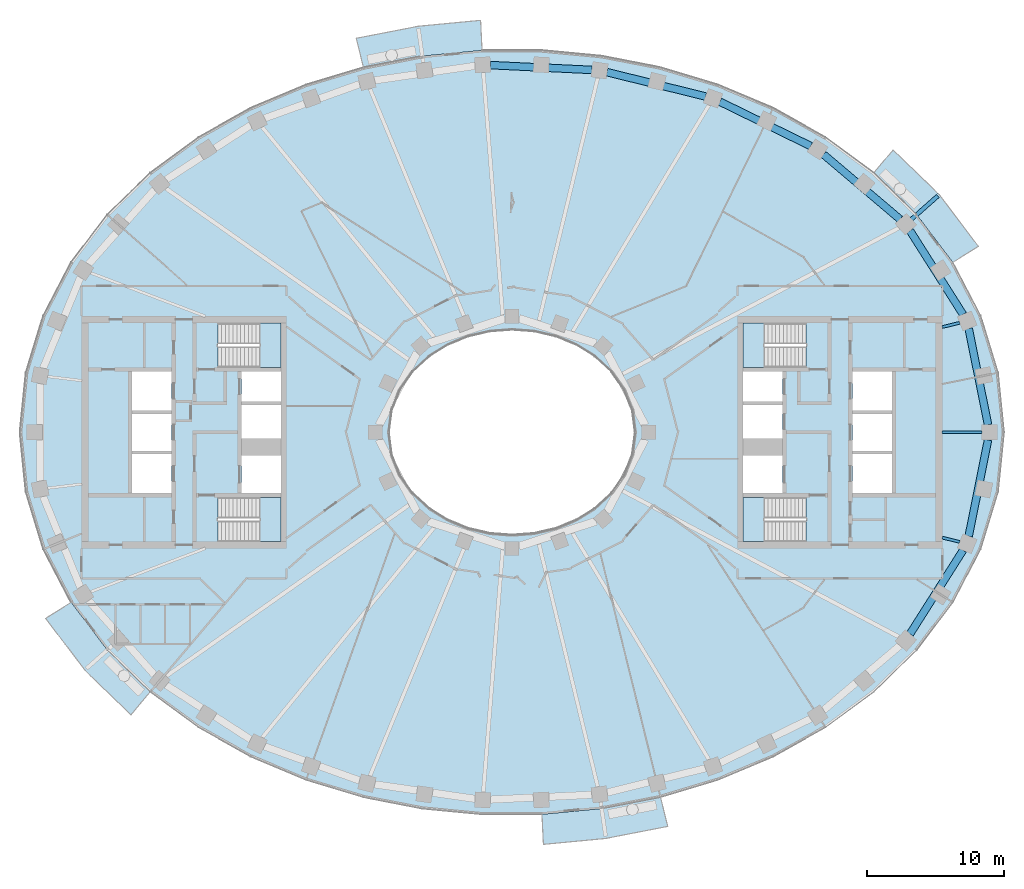
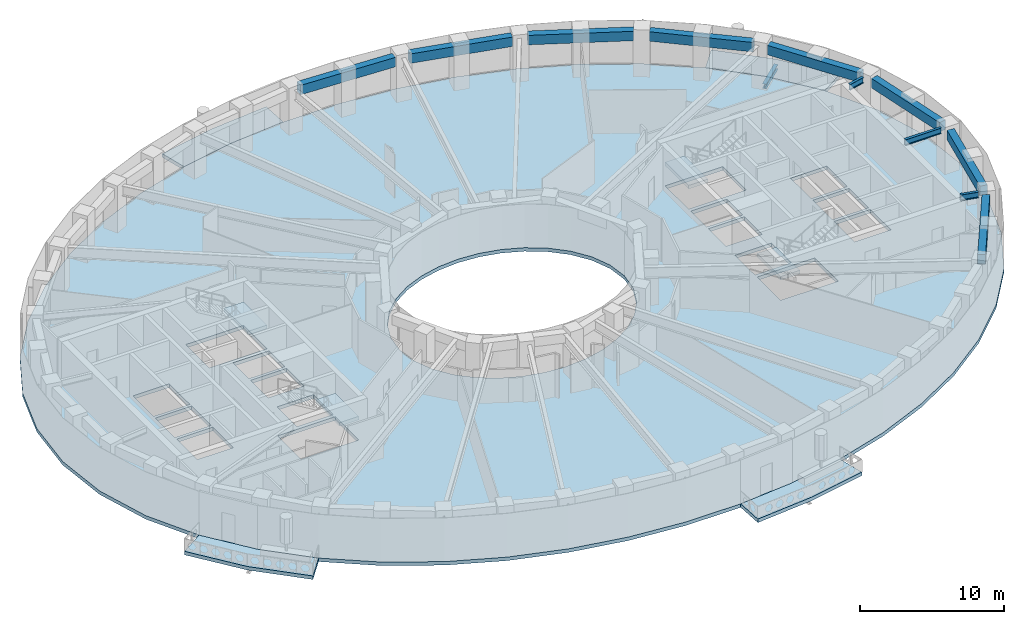
# One storey, part 2 of 16: 12 beams, 9 slabs, 4 elements without a shape of their own.
"""IFC4 building model written with IfcOpenShell, lengths in metres."""

from ifc_helpers import new_model, si_unit, direction, frame, origin, origin_2d, place, context, subcontext, project, spatial, polyline, rectangle, i_section, outline, extrude, material, layer, layer_set, material_profile, profile_set, type_object, element, aggregate, save


model = new_model("IFC4")

# Units and contexts
model_context = context("Model", 3, precision=1e-05, world=origin(), true_north=direction((0.0, 1.0)))
body_context = subcontext(model_context, "Body", "Model", "MODEL_VIEW")
ifc_project = project(units=[si_unit("LENGTHUNIT", "METRE"), si_unit("AREAUNIT", "SQUARE_METRE"), si_unit("VOLUMEUNIT", "CUBIC_METRE"), si_unit("PLANEANGLEUNIT", "RADIAN"), si_unit("MASSUNIT", "GRAM", prefix="KILO")], contexts=[model_context])

# Site, building, storey
site_placement = place(None, origin())
site = spatial("IfcSite", under=ifc_project, at=site_placement, CompositionType="ELEMENT")
building_placement = place(site_placement, origin())
building = spatial("IfcBuilding", under=site, at=building_placement, Name="Noorbagh Ring Tower", CompositionType="ELEMENT")
storey_placement = place(building_placement, frame((0.0, 0.0, 186.0)))
storey = spatial("IfcBuildingStorey", under=building, at=storey_placement, Name="L43", CompositionType="ELEMENT", Elevation=186.0)

# Beams
ifc_material_1 = material(Name="Steel S355", Category="steel")
ifc_material_profile_1 = material_profile(ifc_material_1, i_section(OverallWidth=0.300048828125, OverallDepth=0.39990234375, WebThickness=0.013427734375, FlangeThickness=0.02392578125, FilletRadius=0.027099609375, at=origin_2d()), Name="HEB400")
ifc_profile_set_1 = profile_set([ifc_material_profile_1], Name="Steel S355")
beam_type_1 = type_object("IfcBeamType", Name="STR-BALCONY-BRACKET-HEB400", PredefinedType="BEAM", material=ifc_profile_set_1)
beam_1_placement = place(storey_placement, frame((29.234619140625, 15.59814453125, -0.5), z_axis=(0.749031222735, 0.662534698992, 0.0), x_axis=(-0.662534698992, 0.749031222735, 0.0)))
element("IfcBeam", 1, at=beam_1_placement, inside=storey, type_object=beam_type_1, Name="Balcony bracket beam BN01", PredefinedType="BEAM", context=body_context, shape_type="SweptSolid", body=[
    extrude(i_section(OverallWidth=0.300048828125, OverallDepth=0.39990234375, WebThickness=0.013427734375, FlangeThickness=0.02392578125, FilletRadius=0.027099609375, at=origin_2d()), origin(), (0.0, 0.0, 1.0), 2.554443359375),
])
ifc_material_2 = material(Name="Steel S355", Category="steel")
ifc_material_profile_2 = material_profile(ifc_material_2, i_section(OverallWidth=0.199951171875, OverallDepth=0.5, WebThickness=0.01025390625, FlangeThickness=0.01611328125, FilletRadius=0.02099609375, at=origin_2d()), Name="IPE500")
ifc_profile_set_2 = profile_set([ifc_material_profile_2], Name="Steel S355")
beam_type_2 = type_object("IfcBeamType", Name="STR-RAD-IPE500", PredefinedType="BEAM", material=ifc_profile_set_2)
beam_2_placement = place(storey_placement, frame((34.3896484375, 0.0, 3.449951171875), z_axis=(-1.0, 0.0, 0.0), x_axis=(0.0, -1.0, 0.0)))
element("IfcBeam", 2, at=beam_2_placement, inside=storey, type_object=beam_type_2, Name="L43/bm/RD01", PredefinedType="BEAM", context=body_context, shape_type="SweptSolid", body=[
    extrude(i_section(OverallWidth=0.199951171875, OverallDepth=0.5, WebThickness=0.01025390625, FlangeThickness=0.01611328125, FilletRadius=0.02099609375, at=origin_2d()), origin(), (0.0, 0.0, 1.0), 2.90966796875),
])
for number, where, z_axis, x_axis, name in (
    (3, (32.759765625, 8.015869140625, 3.449951171875), (-0.971351477813, -0.237647441709, 0.0), (0.237647441709, -0.971351477813, 0.0), "L43/bm/RD03"),
    (4, (32.759765625, -8.015869140625, 3.449951171875), (-0.971351477813, 0.237647441709, 0.0), (-0.237647441709, -0.971351477813, 0.0), "L43/bm/RD45"),
):
    element("IfcBeam", number, at=place(storey_placement, frame(where, z_axis=z_axis, x_axis=x_axis)), inside=storey, type_object=beam_type_2, Name=name, PredefinedType="BEAM", context=body_context, shape_type="SweptSolid", body=[
        extrude(i_section(OverallWidth=0.199951171875, OverallDepth=0.5, WebThickness=0.01025390625, FlangeThickness=0.01611328125, FilletRadius=0.02099609375, at=origin_2d()), origin(), (0.0, 0.0, 1.0), 1.317138671875),
    ])
ifc_material_3 = material(Name="Concrete C40/50", Category="concrete")
ifc_material_profile_3 = material_profile(ifc_material_3, rectangle(XDim=0.550048828125, YDim=0.800048828125, at=origin_2d()), Name="RC550x800")
ifc_profile_set_3 = profile_set([ifc_material_profile_3], Name="Concrete C40/50")
beam_type_3 = type_object("IfcBeamType", Name="STR-SB-RC550x800-C40-50", PredefinedType="BEAM", material=ifc_profile_set_3)
beam_3_placement = place(storey_placement, frame((34.8330078125, 0.555419921875, 3.300048828125), z_axis=(-0.197234085058, 0.980356422783, 0.0), x_axis=(-0.980356422783, -0.197234085058, 0.0)))
element("IfcBeam", 5, at=beam_3_placement, inside=storey, type_object=beam_type_3, Name="L43/bm/SP01", PredefinedType="BEAM", context=body_context, shape_type="SweptSolid", body=[
    extrude(rectangle(XDim=0.550048828125, YDim=0.800048828125, at=origin_2d()), origin(), (0.0, 0.0, 1.0), 7.1806640625),
])
beam_4_placement = place(storey_placement, frame((33.00341796875, 8.625732421875, 3.300048828125), z_axis=(-0.535193751586, 0.844729334322, 0.0), x_axis=(-0.844729334322, -0.535193751586, 0.0)))
element("IfcBeam", 6, at=beam_4_placement, inside=storey, type_object=beam_type_3, Name="L43/bm/SP03", PredefinedType="BEAM", context=body_context, shape_type="SweptSolid", body=[
    extrude(rectangle(XDim=0.550048828125, YDim=0.800048828125, at=origin_2d()), origin(), (0.0, 0.0, 1.0), 7.25634765625),
])
beam_5_placement = place(storey_placement, frame((28.390869140625, 15.593017578125, 3.300048828125), z_axis=(-0.76302791951, 0.646365526656, 0.0), x_axis=(-0.646365526656, -0.76302791951, 0.0)))
element("IfcBeam", 7, at=beam_5_placement, inside=storey, type_object=beam_type_3, Name="L43/bm/SP05", PredefinedType="BEAM", context=body_context, shape_type="SweptSolid", body=[
    extrude(rectangle(XDim=0.550048828125, YDim=0.800048828125, at=origin_2d()), origin(), (0.0, 0.0, 1.0), 7.34130859375),
])
beam_6_placement = place(storey_placement, frame((21.85986328125, 20.945556640625, 3.300048828125), z_axis=(-0.898409236546, 0.439159246389, 0.0), x_axis=(-0.439159246389, -0.898409236546, 0.0)))
element("IfcBeam", 8, at=beam_6_placement, inside=storey, type_object=beam_type_3, Name="L43/bm/SP07", PredefinedType="BEAM", context=body_context, shape_type="SweptSolid", body=[
    extrude(rectangle(XDim=0.550048828125, YDim=0.800048828125, at=origin_2d()), origin(), (0.0, 0.0, 1.0), 7.400390625),
])
beam_7_placement = place(storey_placement, frame((14.167724609375, 24.57470703125, 3.300048828125), z_axis=(-0.970828249823, 0.239775956563, 0.0), x_axis=(-0.239775956563, -0.970828249823, 0.0)))
element("IfcBeam", 9, at=beam_7_placement, inside=storey, type_object=beam_type_3, Name="L43/bm/SP09", PredefinedType="BEAM", context=body_context, shape_type="SweptSolid", body=[
    extrude(rectangle(XDim=0.550048828125, YDim=0.800048828125, at=origin_2d()), origin(), (0.0, 0.0, 1.0), 7.433837890625),
])
beam_8_placement = place(storey_placement, frame((5.852294921875, 26.517333984375, 3.300048828125), z_axis=(-0.998867915197, 0.047569822271, 0.0), x_axis=(-0.047569822271, -0.998867915197, 0.0)))
element("IfcBeam", 10, at=beam_8_placement, inside=storey, type_object=beam_type_3, Name="L43/bm/SP11", PredefinedType="BEAM", context=body_context, shape_type="SweptSolid", body=[
    extrude(rectangle(XDim=0.550048828125, YDim=0.800048828125, at=origin_2d()), origin(), (0.0, 0.0, 1.0), 7.447021484375),
])
beam_9_placement = place(storey_placement, frame((29.119873046875, -14.75537109375, 3.300048828125), z_axis=(0.535193751586, 0.844729334322, 0.0), x_axis=(-0.844729334322, 0.535193751586, 0.0)))
element("IfcBeam", 11, at=beam_9_placement, inside=storey, type_object=beam_type_3, Name="L43/bm/SP43", PredefinedType="BEAM", context=body_context, shape_type="SweptSolid", body=[
    extrude(rectangle(XDim=0.550048828125, YDim=0.800048828125, at=origin_2d()), origin(), (0.0, 0.0, 1.0), 7.25634765625),
])
beam_10_placement = place(storey_placement, frame((33.416748046875, -7.594970703125, 3.300048828125), z_axis=(0.197234085058, 0.980356422783, 0.0), x_axis=(-0.980356422783, 0.197234085058, 0.0)))
element("IfcBeam", 12, at=beam_10_placement, inside=storey, type_object=beam_type_3, Name="L43/bm/SP45", PredefinedType="BEAM", context=body_context, shape_type="SweptSolid", body=[
    extrude(rectangle(XDim=0.550048828125, YDim=0.800048828125, at=origin_2d()), origin(), (0.0, 0.0, 1.0), 7.1806640625),
])

# Stair, slab
ifc_material_4 = material(Name="Concrete C40/50", Category="concrete")
stair_type = type_object("IfcStairType", Name="CORE-STAIR", PredefinedType="HALF_TURN_STAIR", material=ifc_material_4)
stair_1_placement = place(storey_placement, origin())
stair_1 = element("IfcStair", 13, at=stair_1_placement, inside=storey, type_object=stair_type, Name="L43 Exit stair ST1", PredefinedType="HALF_TURN_STAIR")
ifc_material_5 = material(Name="Concrete C40/50", Category="concrete")
ifc_layer_1 = layer(ifc_material_5, 0.300048828125)
ifc_layer_set_1 = layer_set([ifc_layer_1], Name="Concrete C40/50")
slab_type_1 = type_object("IfcSlabType", Name="CORE-STAIR-LANDING", PredefinedType="LANDING", material=ifc_layer_set_1)
slab_1_placement = place(storey_placement, frame((0.0, 0.0, 1.699951171875)))
slab_1 = element("IfcSlab", 14, at=slab_1_placement, type_object=slab_type_1, Name="ST1 landing 1", PredefinedType="LANDING", context=body_context, shape_type="SweptSolid", body=[
    extrude(outline(polyline([(-18.449951171875, 4.75), (-16.89990234375, 4.75), (-16.89990234375, 8.0), (-18.449951171875, 8.0), (-18.449951171875, 4.75)])), origin(), (0.0, 0.0, 1.0), 0.300048828125),
])
aggregate(stair_1, [slab_1])

stair_2_placement = place(storey_placement, origin())
stair_2 = element("IfcStair", 15, at=stair_2_placement, inside=storey, type_object=stair_type, Name="L43 Exit stair ST2", PredefinedType="HALF_TURN_STAIR")
slab_2_placement = place(storey_placement, frame((0.0, 0.0, 1.699951171875)))
slab_2 = element("IfcSlab", 16, at=slab_2_placement, type_object=slab_type_1, Name="ST2 landing 1", PredefinedType="LANDING", context=body_context, shape_type="SweptSolid", body=[
    extrude(outline(polyline([(-18.449951171875, -8.0), (-16.89990234375, -8.0), (-16.89990234375, -4.75), (-18.449951171875, -4.75), (-18.449951171875, -8.0)])), origin(), (0.0, 0.0, 1.0), 0.300048828125),
])
aggregate(stair_2, [slab_2])

stair_3_placement = place(storey_placement, origin())
stair_3 = element("IfcStair", 17, at=stair_3_placement, inside=storey, type_object=stair_type, Name="L43 Exit stair ST3", PredefinedType="HALF_TURN_STAIR")
slab_3_placement = place(storey_placement, frame((0.0, 0.0, 1.699951171875)))
slab_3 = element("IfcSlab", 18, at=slab_3_placement, type_object=slab_type_1, Name="ST3 landing 1", PredefinedType="LANDING", context=body_context, shape_type="SweptSolid", body=[
    extrude(outline(polyline([(18.449951171875, 8.0), (16.89990234375, 8.0), (16.89990234375, 4.75), (18.449951171875, 4.75), (18.449951171875, 8.0)])), origin(), (0.0, 0.0, 1.0), 0.300048828125),
])
aggregate(stair_3, [slab_3])

stair_4_placement = place(storey_placement, origin())
stair_4 = element("IfcStair", 19, at=stair_4_placement, inside=storey, type_object=stair_type, Name="L43 Exit stair ST4", PredefinedType="HALF_TURN_STAIR")
slab_4_placement = place(storey_placement, frame((0.0, 0.0, 1.699951171875)))
slab_4 = element("IfcSlab", 20, at=slab_4_placement, type_object=slab_type_1, Name="ST4 landing 1", PredefinedType="LANDING", context=body_context, shape_type="SweptSolid", body=[
    extrude(outline(polyline([(18.449951171875, -4.75), (16.89990234375, -4.75), (16.89990234375, -8.0), (18.449951171875, -8.0), (18.449951171875, -4.75)])), origin(), (0.0, 0.0, 1.0), 0.300048828125),
])
aggregate(stair_4, [slab_4])

# Slabs
ifc_material_6 = material(Name="Concrete C40/50", Category="concrete")
ifc_layer_2 = layer(ifc_material_6, 0.300048828125)
ifc_layer_set_2 = layer_set([ifc_layer_2], Name="Concrete C40/50")
slab_type_2 = type_object("IfcSlabType", Name="ENV-BALCONY DECK 300", PredefinedType="FLOOR", material=ifc_layer_set_2)
slab_5_placement = place(storey_placement, frame((0.0, 0.0, -0.300048828125)))
element("IfcSlab", 21, at=slab_5_placement, inside=storey, type_object=slab_type_2, Name="Tree balcony deck BN01", PredefinedType="FLOOR", context=body_context, shape_type="SweptSolid", body=[
    extrude(outline(polyline([(34.120361328125, 13.615966796875), (31.26025390625, 17.389892578125), (27.888671875, 20.665771484375), (26.463134765625, 18.983154296875), (29.607666015625, 15.92822265625), (32.255126953125, 12.434814453125), (34.120361328125, 13.615966796875)])), origin(), (0.0, 0.0, 1.0), 0.300048828125),
])
slab_6_placement = place(storey_placement, frame((0.0, 0.0, -0.300048828125)))
element("IfcSlab", 22, at=slab_6_placement, inside=storey, type_object=slab_type_2, Name="Tree balcony deck BN04", PredefinedType="FLOOR", context=body_context, shape_type="SweptSolid", body=[
    extrude(outline(polyline([(-2.2978515625, 30.14794921875), (-6.874755859375, 29.711181640625), (-11.3935546875, 28.832763671875), (-10.865234375, 26.6943359375), (-6.5595703125, 27.53125), (-2.193115234375, 27.947998046875), (-2.2978515625, 30.14794921875)])), origin(), (0.0, 0.0, 1.0), 0.300048828125),
])
slab_7_placement = place(storey_placement, frame((0.0, 0.0, -0.300048828125)))
element("IfcSlab", 23, at=slab_7_placement, inside=storey, type_object=slab_type_2, Name="Tree balcony deck BS01", PredefinedType="FLOOR", context=body_context, shape_type="SweptSolid", body=[
    extrude(outline(polyline([(-34.120361328125, -13.615966796875), (-31.26025390625, -17.389892578125), (-27.888671875, -20.665771484375), (-26.463134765625, -18.983154296875), (-29.607666015625, -15.92822265625), (-32.255126953125, -12.434814453125), (-34.120361328125, -13.615966796875)])), origin(), (0.0, 0.0, 1.0), 0.300048828125),
])
slab_8_placement = place(storey_placement, frame((0.0, 0.0, -0.300048828125)))
element("IfcSlab", 24, at=slab_8_placement, inside=storey, type_object=slab_type_2, Name="Tree balcony deck BS04", PredefinedType="FLOOR", context=body_context, shape_type="SweptSolid", body=[
    extrude(outline(polyline([(2.2978515625, -30.14794921875), (6.874755859375, -29.711181640625), (11.3935546875, -28.832763671875), (10.865234375, -26.6943359375), (6.5595703125, -27.53125), (2.193115234375, -27.947998046875), (2.2978515625, -30.14794921875)])), origin(), (0.0, 0.0, 1.0), 0.300048828125),
])
ifc_material_7 = material(Name="Concrete C40/50", Category="concrete")
ifc_layer_3 = layer(ifc_material_7, 0.300048828125)
ifc_layer_set_3 = layer_set([ifc_layer_3], Name="Concrete C40/50")
slab_type_3 = type_object("IfcSlabType", Name="STR-FLOOR-DECK-300", PredefinedType="FLOOR", material=ifc_layer_set_3)
slab_9_placement = place(storey_placement, frame((0.0, 0.0, -0.300048828125)))
element("IfcSlab", 25, at=slab_9_placement, inside=storey, type_object=slab_type_3, Name="L43/slab/1", PredefinedType="FLOOR", context=body_context, shape_type="SweptSolid", body=[
    extrude(outline(polyline([(36.0, 0.0), (35.56103515625, 4.358642578125), (34.281005859375, 8.548828125), (32.255126953125, 12.434814453125), (29.607666015625, 15.92822265625), (26.463134765625, 18.983154296875), (22.9326171875, 21.583740234375), (19.108154296875, 23.730224609375), (15.0654296875, 25.430419921875), (10.865234375, 26.6943359375), (6.5595703125, 27.53125), (2.193115234375, 27.947998046875), (-2.193115234375, 27.947998046875), (-6.5595703125, 27.53125), (-10.865234375, 26.6943359375), (-15.0654296875, 25.430419921875), (-19.108154296875, 23.730224609375), (-22.9326171875, 21.583740234375), (-26.463134765625, 18.983154296875), (-29.607666015625, 15.92822265625), (-32.255126953125, 12.434814453125), (-34.281005859375, 8.548828125), (-35.56103515625, 4.358642578125), (-36.0, 0.0), (-35.56103515625, -4.358642578125), (-34.281005859375, -8.548828125), (-32.255126953125, -12.434814453125), (-29.607666015625, -15.92822265625), (-26.463134765625, -18.983154296875), (-22.9326171875, -21.583740234375), (-19.108154296875, -23.730224609375), (-15.0654296875, -25.430419921875), (-10.865234375, -26.6943359375), (-6.5595703125, -27.53125), (-2.193115234375, -27.947998046875), (2.193115234375, -27.947998046875), (6.5595703125, -27.53125), (10.865234375, -26.6943359375), (15.0654296875, -25.430419921875), (19.108154296875, -23.730224609375), (22.9326171875, -21.583740234375), (26.463134765625, -18.983154296875), (29.607666015625, -15.92822265625), (32.255126953125, -12.434814453125), (34.281005859375, -8.548828125), (35.56103515625, -4.358642578125), (36.0, 0.0)]), holes=[polyline([(24.89990234375, 4.449951171875), (27.800048828125, 4.449951171875), (27.800048828125, 1.60009765625), (24.89990234375, 1.60009765625), (24.89990234375, 4.449951171875)]), polyline([(24.89990234375, 1.35009765625), (27.800048828125, 1.35009765625), (27.800048828125, -1.35009765625), (24.89990234375, -1.35009765625), (24.89990234375, 1.35009765625)]), polyline([(24.89990234375, -1.60009765625), (27.800048828125, -1.60009765625), (27.800048828125, -4.449951171875), (24.89990234375, -4.449951171875), (24.89990234375, -1.60009765625)]), polyline([(21.529541015625, -8.0), (16.89990234375, -8.0), (16.89990234375, -4.75), (21.529541015625, -4.75), (21.529541015625, -8.0)]), polyline([(16.89990234375, 4.75), (16.89990234375, 8.0), (21.529541015625, 8.0), (21.529541015625, 4.75), (16.89990234375, 4.75)]), polyline([(19.800048828125, 4.449951171875), (19.800048828125, 2.25), (16.89990234375, 2.25), (16.89990234375, 4.449951171875), (19.800048828125, 4.449951171875)]), polyline([(16.89990234375, 2.0), (19.800048828125, 2.0), (19.800048828125, -0.449951171875), (16.89990234375, -0.449951171875), (16.89990234375, 2.0)]), polyline([(16.89990234375, -1.699951171875), (19.800048828125, -1.699951171875), (19.800048828125, -4.449951171875), (16.89990234375, -4.449951171875), (16.89990234375, -1.699951171875)]), polyline([(4.697509765625, -6.3974609375), (3.196533203125, -7.010986328125), (1.6171875, -7.3779296875), (0.0, -7.5), (-1.6171875, -7.3779296875), (-3.196533203125, -7.010986328125), (-4.697509765625, -6.3974609375), (-6.071044921875, -5.53662109375), (-7.2587890625, -4.43408203125), (-8.1904296875, -3.10888671875), (-8.79150390625, -1.605224609375), (-9.0, 0.0), (-8.79150390625, 1.605224609375), (-8.1904296875, 3.10888671875), (-7.2587890625, 4.43408203125), (-6.071044921875, 5.53662109375), (-4.697509765625, 6.3974609375), (-3.196533203125, 7.010986328125), (-1.6171875, 7.3779296875), (0.0, 7.5), (1.6171875, 7.3779296875), (3.196533203125, 7.010986328125), (4.697509765625, 6.3974609375), (6.071044921875, 5.53662109375), (7.2587890625, 4.43408203125), (8.1904296875, 3.10888671875), (8.79150390625, 1.605224609375), (9.0, 0.0), (8.79150390625, -1.605224609375), (8.1904296875, -3.10888671875), (7.2587890625, -4.43408203125), (6.071044921875, -5.53662109375), (4.697509765625, -6.3974609375)]), polyline([(-16.89990234375, 2.25), (-19.800048828125, 2.25), (-19.800048828125, 4.449951171875), (-16.89990234375, 4.449951171875), (-16.89990234375, 2.25)]), polyline([(-16.89990234375, -0.449951171875), (-19.800048828125, -0.449951171875), (-19.800048828125, 2.0), (-16.89990234375, 2.0), (-16.89990234375, -0.449951171875)]), polyline([(-16.89990234375, -4.449951171875), (-19.800048828125, -4.449951171875), (-19.800048828125, -1.699951171875), (-16.89990234375, -1.699951171875), (-16.89990234375, -4.449951171875)]), polyline([(-21.529541015625, 8.0), (-16.89990234375, 8.0), (-16.89990234375, 4.75), (-21.529541015625, 4.75), (-21.529541015625, 8.0)]), polyline([(-21.529541015625, -4.75), (-16.89990234375, -4.75), (-16.89990234375, -8.0), (-21.529541015625, -8.0), (-21.529541015625, -4.75)]), polyline([(-24.89990234375, -4.449951171875), (-27.800048828125, -4.449951171875), (-27.800048828125, -1.60009765625), (-24.89990234375, -1.60009765625), (-24.89990234375, -4.449951171875)]), polyline([(-24.89990234375, 1.60009765625), (-27.800048828125, 1.60009765625), (-27.800048828125, 4.449951171875), (-24.89990234375, 4.449951171875), (-24.89990234375, 1.60009765625)]), polyline([(-24.89990234375, -1.35009765625), (-27.800048828125, -1.35009765625), (-27.800048828125, 1.35009765625), (-24.89990234375, 1.35009765625), (-24.89990234375, -1.35009765625)])]), origin(), (0.0, 0.0, 1.0), 0.300048828125),
])

save(model, "model.ifc")
